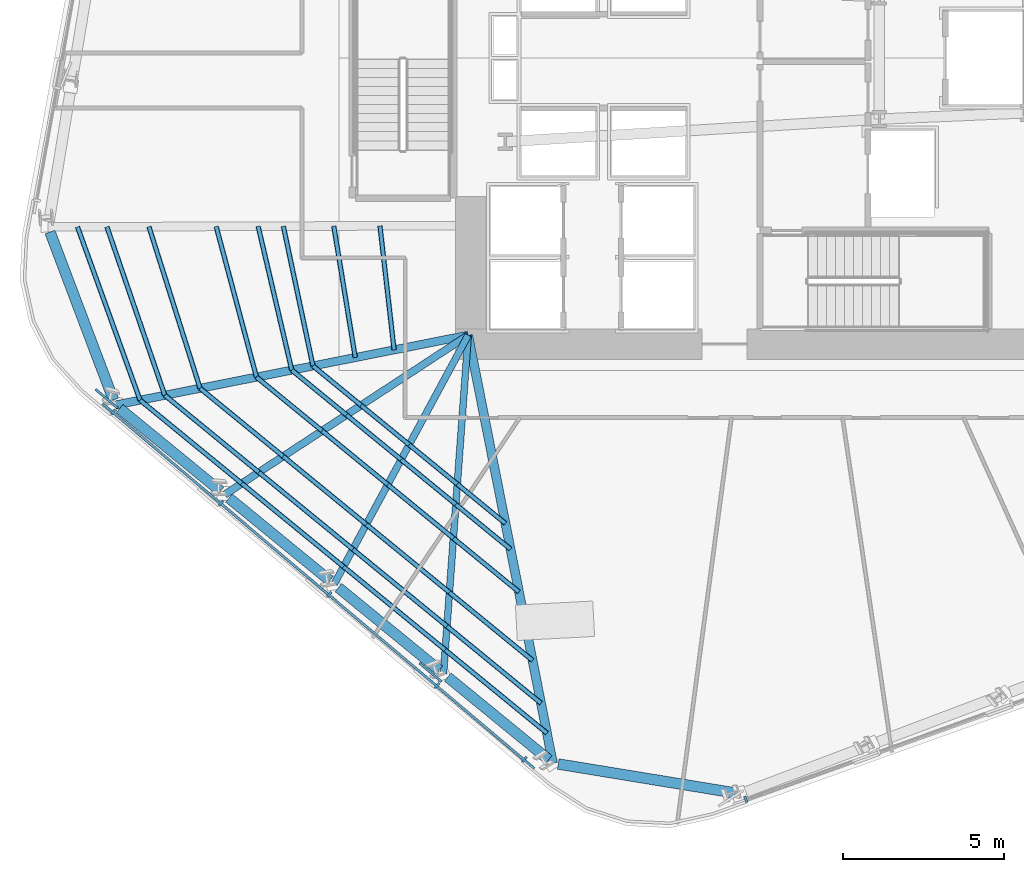
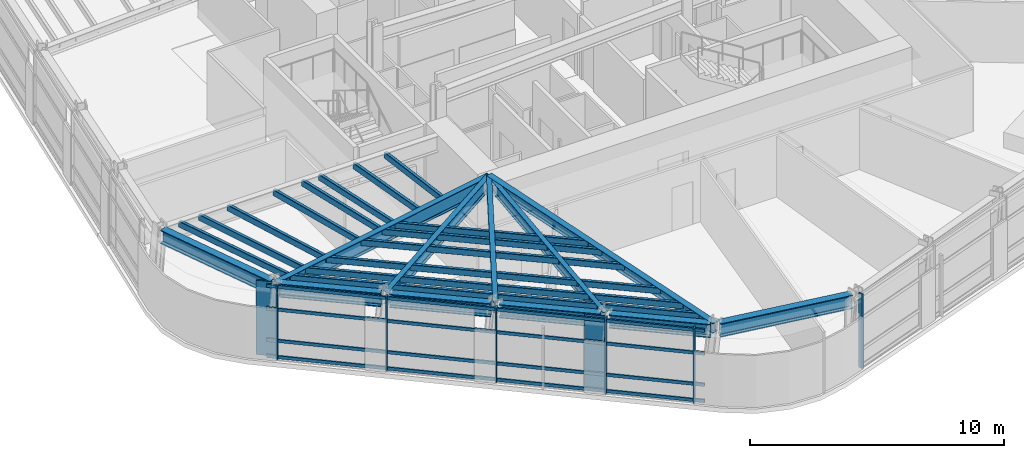
# One storey, part 2 of 18: 44 members, 11 beams, 2 elements without a shape of their own.
"""IFC4 building model written with IfcOpenShell, lengths in metres."""

import ifcopenshell
import ifcopenshell.guid

model = None  # the IFC model being written
_history = None  # IfcOwnerHistory: only IFC2X3 demands one
_inside = {}  # id of a spatial element -> (the spatial element, [elements in it])
_under = {}  # id of a project, library or spatial element -> (it, [spatial elements below it])
_declared = {}  # id of a project -> (the project, [libraries it declares])
_typed = {}  # id of a type object -> (the type object, [elements of that type])
_made_of = {}  # id of a material, layer set ... -> (it, [elements and type objects made of it])


def new_model(schema):
    """Start an empty IFC model of exactly this schema.

    Asked for "IFC4X3", IfcOpenShell would pick the latest addendum, in which some entities
    have other attributes; the version numbers below select the first issue.
    IFC2X3 requires an IfcOwnerHistory on every rooted entity: one is made here for all.
    """
    global model, _history
    if schema == "IFC4X3":
        model = ifcopenshell.file(schema_version=(4, 3, 0, 0))
    else:
        model = ifcopenshell.file(schema=schema)
    _inside.clear()
    _under.clear()
    _declared.clear()
    _typed.clear()
    _made_of.clear()
    _history = None
    if model.schema == "IFC2X3":
        org = make("IfcOrganization", Name="unknown")
        user = make(
            "IfcPersonAndOrganization",
            ThePerson=make("IfcPerson", FamilyName="unknown"),
            TheOrganization=org,
        )
        app = make(
            "IfcApplication",
            ApplicationDeveloper=org,
            Version="unknown",
            ApplicationFullName="unknown",
            ApplicationIdentifier="unknown",
        )
        _history = make(
            "IfcOwnerHistory",
            OwningUser=user,
            OwningApplication=app,
            ChangeAction="ADDED",
            CreationDate=0,
        )
    return model


def make(cls, **values):
    """One entity of the class cls with the attributes given. An attribute that is None is left unset."""
    return model.create_entity(
        cls, **{name: value for name, value in values.items() if value is not None}
    )


def rooted(cls, **values):
    """An entity with a GlobalId (a new one), such as an element, a storey or a relation."""
    return make(cls, GlobalId=ifcopenshell.guid.new(), OwnerHistory=_history, **values)


def si_unit(unit_type, name, prefix=None):
    """IfcSIUnit, for example si_unit("LENGTHUNIT", "METRE", prefix="MILLI")."""
    return make("IfcSIUnit", UnitType=unit_type, Prefix=prefix, Name=name)


def assignment(units):
    """IfcUnitAssignment: the units of a project."""
    return None if units is None else make("IfcUnitAssignment", Units=units)


def point(xyz):
    """IfcCartesianPoint."""
    return None if xyz is None else make("IfcCartesianPoint", Coordinates=xyz)


def direction(xyz):
    """IfcDirection."""
    return None if xyz is None else make("IfcDirection", DirectionRatios=xyz)


def frame(location, z_axis=None, x_axis=None):
    """IfcAxis2Placement3D, a coordinate frame: its origin and axes. An axis left out is left unset."""
    return make(
        "IfcAxis2Placement3D",
        Location=point(location),
        Axis=direction(z_axis),
        RefDirection=direction(x_axis),
    )


def frame_2d(location, x_axis=None):
    """IfcAxis2Placement2D, a coordinate frame in the plane: its origin and x axis."""
    return make(
        "IfcAxis2Placement2D", Location=point(location), RefDirection=direction(x_axis)
    )


def origin():
    """The frame at (0, 0, 0) with its axes left unset."""
    return frame((0.0, 0.0, 0.0))


def origin_2d():
    """The frame at (0, 0) in the plane with its x axis left unset."""
    return frame_2d((0.0, 0.0))


def place(relative_to, where):
    """IfcLocalPlacement: puts the frame where relative to a parent placement (None: the world)."""
    return make(
        "IfcLocalPlacement", PlacementRelTo=relative_to, RelativePlacement=where
    )


def context(
    kind, dimensions, precision=None, world=None, true_north=None, identifier=None
):
    """IfcGeometricRepresentationContext, for example the 3D "Model" context."""
    return make(
        "IfcGeometricRepresentationContext",
        ContextIdentifier=identifier,
        ContextType=kind,
        CoordinateSpaceDimension=dimensions,
        Precision=precision,
        WorldCoordinateSystem=world,
        TrueNorth=true_north,
    )


def subcontext(parent, identifier, kind, view, scale=None):
    """IfcGeometricRepresentationSubContext, for example "Body" below "Model"."""
    return make(
        "IfcGeometricRepresentationSubContext",
        ContextIdentifier=identifier,
        ContextType=kind,
        ParentContext=parent,
        TargetScale=scale,
        TargetView=view,
    )


def project(units=None, contexts=None):
    """IfcProject with its units and contexts."""
    return rooted(
        "IfcProject",
        Name="project",
        RepresentationContexts=contexts,
        UnitsInContext=assignment(units),
    )


def spatial(cls, under=None, at=None, **own):
    """A site, building, storey or space (cls), placed at a placement, below another one or the project."""
    s = rooted(cls, ObjectPlacement=at, **own)
    if under is not None:
        _under.setdefault(under.id(), (under, []))[1].append(s)
    return s


def profile(cls, at=None, kind="AREA", **sizes):
    """A parametric profile (cls). Its sizes go by their IFC names, for example OverallWidth=200.0."""
    return make(cls, ProfileType=kind, Position=at, **sizes)


def rectangle(**sizes):
    """IfcRectangleProfileDef."""
    return profile("IfcRectangleProfileDef", **sizes)


def hollow_rectangle(**sizes):
    """IfcRectangleHollowProfileDef."""
    return profile("IfcRectangleHollowProfileDef", **sizes)


def i_section(**sizes):
    """IfcIShapeProfileDef."""
    return profile("IfcIShapeProfileDef", **sizes)


def extrude(swept, where, along, depth):
    """IfcExtrudedAreaSolid: the profile swept, set in the frame where, extruded along a direction by depth."""
    return make(
        "IfcExtrudedAreaSolid",
        SweptArea=swept,
        Position=where,
        ExtrudedDirection=direction(along),
        Depth=depth,
    )


def shape(context_of_items, identifier, shape_type, items):
    """IfcShapeRepresentation: the items that make up one representation, for example the "Body"."""
    return make(
        "IfcShapeRepresentation",
        ContextOfItems=context_of_items,
        RepresentationIdentifier=identifier,
        RepresentationType=shape_type,
        Items=items,
    )


def material(Name=None, Category=None):
    """IfcMaterial."""
    return make("IfcMaterial", Name=Name, Category=Category)


def layer(
    of_material, thickness, ventilated=None, Name=None, Category=None, Priority=None
):
    """IfcMaterialLayer: one layer of a wall or slab, of a material (None: an air gap)."""
    return make(
        "IfcMaterialLayer",
        Material=of_material,
        LayerThickness=thickness,
        IsVentilated=ventilated,
        Name=Name,
        Category=Category,
        Priority=Priority,
    )


def layer_set(layers, Name=None):
    """IfcMaterialLayerSet."""
    return make("IfcMaterialLayerSet", MaterialLayers=layers, LayerSetName=Name)


def material_profile(
    of_material, cross_section, Name=None, Category=None, Priority=None
):
    """IfcMaterialProfile: a cross section and its material."""
    return make(
        "IfcMaterialProfile",
        Name=Name,
        Material=of_material,
        Profile=cross_section,
        Priority=Priority,
        Category=Category,
    )


def profile_set(profiles, Name=None, composite=None):
    """IfcMaterialProfileSet."""
    return make(
        "IfcMaterialProfileSet",
        Name=Name,
        MaterialProfiles=profiles,
        CompositeProfile=composite,
    )


def made_of(thing, what):
    """Note that an element or type object is made of a material, layer set ...; save() writes the relation."""
    if what is not None:
        _made_of.setdefault(what.id(), (what, []))[1].append(thing)
    return thing


def type_object(cls, material=None, **own):
    """A type object (cls), such as IfcWallType, which elements share."""
    return made_of(rooted(cls, **own), material)


def element(
    cls,
    number,
    at=None,
    inside=None,
    cuts=None,
    type_object=None,
    material=None,
    context=None,
    identifier="Body",
    shape_type=None,
    held_by="IfcProductDefinitionShape",
    body=None,
    shapes=None,
    **own,
):
    """One element of the class cls, such as IfcWall. Its Tag is "e" and its number.

    at: its placement. inside: the storey or other place that contains it. cuts: it is an
    opening in that element (IfcRelVoidsElement). A single representation is given by context,
    identifier, shape_type and body (its items); several are given by shapes. held_by: the class
    of the entity that holds the representations. save() writes the other relations.
    """
    e = rooted(cls, Tag="e%d" % number, ObjectPlacement=at, **own)
    if body is not None:
        shapes = [shape(context, identifier, shape_type, body)]
    if shapes is not None:
        e.Representation = make(held_by, Representations=shapes)
    if inside is not None:
        _inside.setdefault(inside.id(), (inside, []))[1].append(e)
    if cuts is not None:
        rooted(
            "IfcRelVoidsElement", RelatingBuildingElement=cuts, RelatedOpeningElement=e
        )
    if type_object is not None:
        _typed.setdefault(type_object.id(), (type_object, []))[1].append(e)
    return made_of(e, material)


def aggregate(whole, parts):
    """IfcRelAggregates: a whole, such as a stair, and the parts it consists of."""
    return rooted("IfcRelAggregates", RelatingObject=whole, RelatedObjects=parts)


def save(model, path):
    """Write the relations noted so far, then the file.

    IfcRelAggregates (storeys below a building ...), IfcRelContainedInSpatialStructure (elements
    in a storey), IfcRelDefinesByType, IfcRelAssociatesMaterial and IfcRelDeclares: one each for
    every whole, place, type object, material and project.
    """
    for whole, parts in _under.values():
        aggregate(whole, parts)
    for where, things in _inside.values():
        rooted(
            "IfcRelContainedInSpatialStructure",
            RelatedElements=things,
            RelatingStructure=where,
        )
    for kind, things in _typed.values():
        rooted("IfcRelDefinesByType", RelatedObjects=things, RelatingType=kind)
    for what, things in _made_of.values():
        rooted("IfcRelAssociatesMaterial", RelatedObjects=things, RelatingMaterial=what)
    for by, libraries in _declared.values():
        rooted("IfcRelDeclares", RelatingContext=by, RelatedDefinitions=libraries)
    model.write(path)


model = new_model("IFC4")

# Units and contexts
model_context = context("Model", 3, precision=1e-05, world=origin(), true_north=direction((0.0, 1.0)))
body_context = subcontext(model_context, "Body", "Model", "MODEL_VIEW")
ifc_project = project(units=[si_unit("LENGTHUNIT", "METRE"), si_unit("AREAUNIT", "SQUARE_METRE"), si_unit("VOLUMEUNIT", "CUBIC_METRE"), si_unit("PLANEANGLEUNIT", "RADIAN"), si_unit("MASSUNIT", "GRAM", prefix="KILO")], contexts=[model_context])

# Site, building, storey
site_placement = place(None, origin())
site = spatial("IfcSite", under=ifc_project, at=site_placement, CompositionType="ELEMENT")
building_placement = place(site_placement, origin())
building = spatial("IfcBuilding", under=site, at=building_placement, Name="Valkerne Bourse Tower", CompositionType="ELEMENT")
storey_placement = place(building_placement, frame((0.0, 0.0, 108.60009765625)))
storey = spatial("IfcBuildingStorey", under=building, at=storey_placement, Name="L27", CompositionType="ELEMENT", Elevation=108.60009765625)

# Beams
ifc_material_1 = material(Name="Steel ASTM A992", Category="steel")
ifc_material_profile_1 = material_profile(ifc_material_1, i_section(OverallWidth=0.279296875, OverallDepth=0.46240234375, WebThickness=0.0107421875, FlangeThickness=0.017333984375, FilletRadius=0.017822265625, at=origin_2d()), Name="W18X76")
ifc_profile_set_1 = profile_set([ifc_material_profile_1], Name="Steel ASTM A992")
beam_type_1 = type_object("IfcBeamType", Name="BM-W18X76", PredefinedType="BEAM", material=ifc_profile_set_1)
beam_1_placement = place(storey_placement, frame((40.226806640625, 5.12939453125, 3.348876953125), z_axis=(-0.194168744153, 0.980968143618, 0.0), x_axis=(-0.980968143618, -0.194168744153, 0.0)))
element("IfcBeam", 1, at=beam_1_placement, inside=storey, type_object=beam_type_1, Name="L27 Radial Composite Floor Beam 19", PredefinedType="BEAM", context=body_context, shape_type="SweptSolid", body=[
    extrude(i_section(OverallWidth=0.279296875, OverallDepth=0.46240234375, WebThickness=0.0107421875, FlangeThickness=0.017333984375, FilletRadius=0.017822265625, at=origin_2d()), origin(), (0.0, 0.0, 1.0), 13.528076171875),
])
ifc_material_profile_2 = material_profile(ifc_material_1, i_section(OverallWidth=0.209228515625, OverallDepth=0.533447265625, WebThickness=0.01025390625, FlangeThickness=0.015625, FilletRadius=0.017822265625, at=origin_2d()), Name="W21X62")
ifc_profile_set_2 = profile_set([ifc_material_profile_2], Name="Steel ASTM A992")
beam_type_2 = type_object("IfcBeamType", Name="BM-W21X62", PredefinedType="JOIST", material=ifc_profile_set_2)
beam_2_placement = place(storey_placement, frame((36.835205078125, 7.905517578125, 3.313232421875), z_axis=(0.072693060583, 0.997354359765, 0.0), x_axis=(-0.997354359765, 0.072693060583, 0.0)))
element("IfcBeam", 2, at=beam_2_placement, inside=storey, type_object=beam_type_2, Name="L27 Radial Composite Floor Beam 18", PredefinedType="JOIST", context=body_context, shape_type="SweptSolid", body=[
    extrude(i_section(OverallWidth=0.209228515625, OverallDepth=0.533447265625, WebThickness=0.01025390625, FlangeThickness=0.015625, FilletRadius=0.017822265625, at=origin_2d()), origin(), (0.0, 0.0, 1.0), 10.522216796875),
])
ifc_material_profile_3 = material_profile(ifc_material_1, i_section(OverallWidth=0.2138671875, OverallDepth=0.548583984375, WebThickness=0.0146484375, FlangeThickness=0.023681640625, FilletRadius=0.017822265625, at=origin_2d()), Name="W21X93")
ifc_profile_set_3 = profile_set([ifc_material_profile_3], Name="Steel ASTM A992")
beam_type_3 = type_object("IfcBeamType", Name="BM-W21X93", PredefinedType="BEAM", material=ifc_profile_set_3)
beam_3_placement = place(storey_placement, frame((33.443359375, 10.681396484375, 3.3056640625), z_axis=(0.4741546256, 0.880441588649, 0.0), x_axis=(-0.880441588649, 0.4741546256, 0.0)))
element("IfcBeam", 3, at=beam_3_placement, inside=storey, type_object=beam_type_3, Name="L27 Radial Composite Floor Beam 17", PredefinedType="BEAM", context=body_context, shape_type="SweptSolid", body=[
    extrude(i_section(OverallWidth=0.2138671875, OverallDepth=0.548583984375, WebThickness=0.0146484375, FlangeThickness=0.023681640625, FilletRadius=0.017822265625, at=origin_2d()), origin(), (0.0, 0.0, 1.0), 8.7666015625),
])
ifc_material_profile_4 = material_profile(ifc_material_1, i_section(OverallWidth=0.330078125, OverallDepth=0.647705078125, WebThickness=0.0205078125, FlangeThickness=0.037109375, FilletRadius=0.020263671875, at=origin_2d()), Name="W24X192")
ifc_profile_set_4 = profile_set([ifc_material_profile_4], Name="Steel ASTM A992")
beam_type_4 = type_object("IfcBeamType", Name="BM-W24X192", PredefinedType="SPANDREL", material=ifc_profile_set_4)
beam_4_placement = place(storey_placement, frame((24.6328125, 21.59814453125, 3.256103515625), z_axis=(0.353478206483, -0.935442760163, 0.0), x_axis=(0.935442760163, 0.353478206483, 0.0)))
element("IfcBeam", 4, at=beam_4_placement, inside=storey, type_object=beam_type_4, Name="L27 Hexagonal Spandrel Ring Beam 14", PredefinedType="SPANDREL", context=body_context, shape_type="SweptSolid", body=[
    extrude(i_section(OverallWidth=0.330078125, OverallDepth=0.647705078125, WebThickness=0.0205078125, FlangeThickness=0.037109375, FilletRadius=0.020263671875, at=origin_2d()), origin(), (0.0, 0.0, 1.0), 5.564697265625),
])
beam_5_placement = place(storey_placement, frame((26.79150390625, 16.1259765625, 3.256103515625), z_axis=(0.773838906379, -0.633382465003, 0.0), x_axis=(0.633382465003, 0.773838906379, 0.0)))
element("IfcBeam", 5, at=beam_5_placement, inside=storey, type_object=beam_type_4, Name="L27 Hexagonal Spandrel Ring Beam 15", PredefinedType="SPANDREL", context=body_context, shape_type="SweptSolid", body=[
    extrude(i_section(OverallWidth=0.330078125, OverallDepth=0.647705078125, WebThickness=0.0205078125, FlangeThickness=0.037109375, FilletRadius=0.020263671875, at=origin_2d()), origin(), (0.0, 0.0, 1.0), 4.04296875),
])
beam_6_placement = place(storey_placement, frame((30.183349609375, 13.349853515625, 3.256103515625), z_axis=(0.773844278853, -0.633375901094, 0.0), x_axis=(0.633375901094, 0.773844278853, 0.0)))
element("IfcBeam", 6, at=beam_6_placement, inside=storey, type_object=beam_type_4, Name="L27 Hexagonal Spandrel Ring Beam 16", PredefinedType="SPANDREL", context=body_context, shape_type="SweptSolid", body=[
    extrude(i_section(OverallWidth=0.330078125, OverallDepth=0.647705078125, WebThickness=0.0205078125, FlangeThickness=0.037109375, FilletRadius=0.020263671875, at=origin_2d()), origin(), (0.0, 0.0, 1.0), 4.042724609375),
])
beam_7_placement = place(storey_placement, frame((33.574951171875, 10.57373046875, 3.256103515625), z_axis=(0.773868503725, -0.633346302541, 0.0), x_axis=(0.633346302541, 0.773868503725, 0.0)))
element("IfcBeam", 7, at=beam_7_placement, inside=storey, type_object=beam_type_4, Name="L27 Hexagonal Spandrel Ring Beam 17", PredefinedType="SPANDREL", context=body_context, shape_type="SweptSolid", body=[
    extrude(i_section(OverallWidth=0.330078125, OverallDepth=0.647705078125, WebThickness=0.0205078125, FlangeThickness=0.037109375, FilletRadius=0.020263671875, at=origin_2d()), origin(), (0.0, 0.0, 1.0), 4.04296875),
])
beam_8_placement = place(storey_placement, frame((36.966796875, 7.797607421875, 3.256103515625), z_axis=(0.773844278853, -0.633375901094, 0.0), x_axis=(0.633375901094, 0.773844278853, 0.0)))
element("IfcBeam", 8, at=beam_8_placement, inside=storey, type_object=beam_type_4, Name="L27 Hexagonal Spandrel Ring Beam 18", PredefinedType="SPANDREL", context=body_context, shape_type="SweptSolid", body=[
    extrude(i_section(OverallWidth=0.330078125, OverallDepth=0.647705078125, WebThickness=0.0205078125, FlangeThickness=0.037109375, FilletRadius=0.020263671875, at=origin_2d()), origin(), (0.0, 0.0, 1.0), 4.042724609375),
])
beam_9_placement = place(storey_placement, frame((40.394775390625, 5.101806640625, 3.256103515625), z_axis=(0.986857159576, -0.161595007946, 0.0), x_axis=(0.161595007946, 0.986857159576, 0.0)))
element("IfcBeam", 9, at=beam_9_placement, inside=storey, type_object=beam_type_4, Name="L27 Hexagonal Spandrel Ring Beam 19", PredefinedType="SPANDREL", context=body_context, shape_type="SweptSolid", body=[
    extrude(i_section(OverallWidth=0.330078125, OverallDepth=0.647705078125, WebThickness=0.0205078125, FlangeThickness=0.037109375, FilletRadius=0.020263671875, at=origin_2d()), origin(), (0.0, 0.0, 1.0), 5.564453125),
])
ifc_material_profile_5 = material_profile(ifc_material_1, i_section(OverallWidth=0.228271484375, OverallDepth=0.607177734375, WebThickness=0.01123046875, FlangeThickness=0.017333984375, FilletRadius=0.017822265625, at=origin_2d()), Name="W24X76")
ifc_profile_set_5 = profile_set([ifc_material_profile_5], Name="Steel ASTM A992")
beam_type_5 = type_object("IfcBeamType", Name="BM-W24X76", PredefinedType="JOIST", material=ifc_profile_set_5)
beam_10_placement = place(storey_placement, frame((30.0517578125, 13.45751953125, 3.2763671875), z_axis=(0.836617642847, 0.547787294191, 0.0), x_axis=(-0.547787294191, 0.836617642847, 0.0)))
element("IfcBeam", 10, at=beam_10_placement, inside=storey, type_object=beam_type_5, Name="L27 Radial Composite Floor Beam 16", PredefinedType="JOIST", context=body_context, shape_type="SweptSolid", body=[
    extrude(i_section(OverallWidth=0.228271484375, OverallDepth=0.607177734375, WebThickness=0.01123046875, FlangeThickness=0.017333984375, FilletRadius=0.017822265625, at=origin_2d()), origin(), (0.0, 0.0, 1.0), 9.0224609375),
])
ifc_material_profile_6 = material_profile(ifc_material_1, i_section(OverallWidth=0.255859375, OverallDepth=0.693359375, WebThickness=0.014404296875, FlangeThickness=0.023681640625, FilletRadius=0.02294921875, at=origin_2d()), Name="W27X114")
ifc_profile_set_6 = profile_set([ifc_material_profile_6], Name="Steel ASTM A992")
beam_type_6 = type_object("IfcBeamType", Name="BM-W27X114", PredefinedType="BEAM", material=ifc_profile_set_6)
beam_11_placement = place(storey_placement, frame((26.659912109375, 16.233642578125, 3.233154296875), z_axis=(0.980954391769, 0.194238207542, 0.0), x_axis=(-0.194238207542, 0.980954391769, 0.0)))
element("IfcBeam", 11, at=beam_11_placement, inside=storey, type_object=beam_type_6, Name="L27 Radial Composite Floor Beam 15", PredefinedType="BEAM", context=body_context, shape_type="SweptSolid", body=[
    extrude(i_section(OverallWidth=0.255859375, OverallDepth=0.693359375, WebThickness=0.014404296875, FlangeThickness=0.023681640625, FilletRadius=0.02294921875, at=origin_2d()), origin(), (0.0, 0.0, 1.0), 11.152587890625),
])

# Curtain wall, members
ifc_material_2 = material(Name="Aluminium AA 6063-T6", Category="aluminium")
ifc_layer = layer(ifc_material_2, 0.22998046875)
ifc_layer_set = layer_set([ifc_layer], Name="Aluminium AA 6063-T6")
curtain_wall_type = type_object("IfcCurtainWallType", Name="CW-02", PredefinedType="NOTDEFINED", material=ifc_layer_set)
curtain_wall_1_placement = place(storey_placement, origin())
curtain_wall_1 = element("IfcCurtainWall", 12, at=curtain_wall_1_placement, inside=storey, type_object=curtain_wall_type, Name="L27 Hexagonal Stick Curtain Wall Face 4", PredefinedType="NOTDEFINED")
ifc_material_profile_7 = material_profile(ifc_material_2, rectangle(XDim=0.074951171875, YDim=0.199951171875, at=origin_2d()), Name="CWM-75X200")
ifc_profile_set_7 = profile_set([ifc_material_profile_7], Name="Aluminium AA 6063-T6")
member_type_1 = type_object("IfcMemberType", Name="CW-MUL-220X75", PredefinedType="MULLION", material=ifc_profile_set_7)
member_1_placement = place(storey_placement, frame((26.594482421875, 16.0205078125, 0.0), z_axis=(0.0, 0.0, 1.0), x_axis=(0.763797192334, -0.645456310669, 0.0)))
member_1 = element("IfcMember", 13, at=member_1_placement, type_object=member_type_1, Name="CW-L27-F4 Jamb Mullion 00A", PredefinedType="MULLION", context=body_context, shape_type="SweptSolid", body=[
    extrude(rectangle(XDim=0.074951171875, YDim=0.199951171875, at=origin_2d()), origin(), (0.0, 0.0, 1.0), 3.579833984375),
])
member_2_placement = place(storey_placement, frame((29.9423828125, 13.19140625, 0.0), z_axis=(0.0, 0.0, 1.0), x_axis=(0.763798935079, -0.645454248396, 0.0)))
member_2 = element("IfcMember", 14, at=member_2_placement, type_object=member_type_1, Name="CW-L27-F4 Jamb Mullion 01A", PredefinedType="MULLION", context=body_context, shape_type="SweptSolid", body=[
    extrude(rectangle(XDim=0.074951171875, YDim=0.199951171875, at=origin_2d()), origin(), (0.0, 0.0, 1.0), 3.579833984375),
])
member_3_placement = place(storey_placement, frame((33.2900390625, 10.362548828125, 0.0), z_axis=(0.0, 0.0, 1.0), x_axis=(0.763787687089, -0.645467558481, 0.0)))
member_3 = element("IfcMember", 15, at=member_3_placement, type_object=member_type_1, Name="CW-L27-F4 Jamb Mullion 02A", PredefinedType="MULLION", context=body_context, shape_type="SweptSolid", body=[
    extrude(rectangle(XDim=0.074951171875, YDim=0.199951171875, at=origin_2d()), origin(), (0.0, 0.0, 1.0), 3.579833984375),
])
member_4_placement = place(storey_placement, frame((36.6376953125, 7.533447265625, 0.0), z_axis=(0.0, 0.0, 1.0), x_axis=(0.763798935079, -0.645454248396, 0.0)))
member_4 = element("IfcMember", 16, at=member_4_placement, type_object=member_type_1, Name="CW-L27-F4 Jamb Mullion 03A", PredefinedType="MULLION", context=body_context, shape_type="SweptSolid", body=[
    extrude(rectangle(XDim=0.074951171875, YDim=0.199951171875, at=origin_2d()), origin(), (0.0, 0.0, 1.0), 3.579833984375),
])
member_5_placement = place(storey_placement, frame((39.343994140625, 5.24658203125, 0.0), z_axis=(0.0, 0.0, 1.0), x_axis=(0.763798935079, -0.645454248396, 0.0)))
member_5 = element("IfcMember", 17, at=member_5_placement, type_object=member_type_1, Name="CW-L27-F4 Jamb Mullion 03B", PredefinedType="MULLION", context=body_context, shape_type="SweptSolid", body=[
    extrude(rectangle(XDim=0.074951171875, YDim=0.199951171875, at=origin_2d()), origin(), (0.0, 0.0, 1.0), 3.579833984375),
])

# Curtain wall, member
curtain_wall_2_placement = place(storey_placement, origin())
curtain_wall_2 = element("IfcCurtainWall", 18, at=curtain_wall_2_placement, inside=storey, type_object=curtain_wall_type, Name="L27 Hexagonal Stick Curtain Wall Face 5", PredefinedType="NOTDEFINED")
member_6_placement = place(storey_placement, frame((46.205810546875, 4.011962890625, 0.0), z_axis=(0.0, 0.0, 1.0), x_axis=(0.94088043135, 0.338738857977, 0.0)))
member_6 = element("IfcMember", 19, at=member_6_placement, type_object=member_type_1, Name="CW-L27-F5 Jamb Mullion 00A", PredefinedType="MULLION", context=body_context, shape_type="SweptSolid", body=[
    extrude(rectangle(XDim=0.074951171875, YDim=0.199951171875, at=origin_2d()), origin(), (0.0, 0.0, 1.0), 3.579833984375),
])
aggregate(curtain_wall_2, [member_6])

# Member
ifc_material_profile_8 = material_profile(ifc_material_2, rectangle(XDim=0.074951171875, YDim=0.14990234375, at=origin_2d()), Name="CWT-75X150")
ifc_profile_set_8 = profile_set([ifc_material_profile_8], Name="Aluminium AA 6063-T6")
member_type_2 = type_object("IfcMemberType", Name="CW-TRN-180X65", PredefinedType="USERDEFINED", material=ifc_profile_set_8)
member_7_placement = place(storey_placement, frame((26.260986328125, 16.2763671875, 0.119873046875), z_axis=(0.763796019563, -0.645457698459, 0.0), x_axis=(0.645457698459, 0.763796019563, 0.0)))
member_7 = element("IfcMember", 20, at=member_7_placement, type_object=member_type_2, Name="CW-L27-F4 Continuous Face Transom 1", ObjectType="TRANSOM", PredefinedType="USERDEFINED", context=body_context, shape_type="SweptSolid", body=[
    extrude(rectangle(XDim=0.074951171875, YDim=0.14990234375, at=origin_2d()), origin(), (0.0, 0.0, 1.0), 17.531982421875),
])

member_8_placement = place(storey_placement, frame((26.260986328125, 16.2763671875, 0.89990234375), z_axis=(0.763796019563, -0.645457698459, 0.0), x_axis=(0.645457698459, 0.763796019563, 0.0)))
member_8 = element("IfcMember", 21, at=member_8_placement, type_object=member_type_2, Name="CW-L27-F4 Continuous Face Transom 2", ObjectType="TRANSOM", PredefinedType="USERDEFINED", context=body_context, shape_type="SweptSolid", body=[
    extrude(rectangle(XDim=0.074951171875, YDim=0.14990234375, at=origin_2d()), origin(), (0.0, 0.0, 1.0), 17.531982421875),
])

member_9_placement = place(storey_placement, frame((26.260986328125, 16.2763671875, 2.39990234375), z_axis=(0.763796019563, -0.645457698459, 0.0), x_axis=(0.645457698459, 0.763796019563, 0.0)))
member_9 = element("IfcMember", 22, at=member_9_placement, type_object=member_type_2, Name="CW-L27-F4 Continuous Face Transom 3", ObjectType="TRANSOM", PredefinedType="USERDEFINED", context=body_context, shape_type="SweptSolid", body=[
    extrude(rectangle(XDim=0.074951171875, YDim=0.14990234375, at=origin_2d()), origin(), (0.0, 0.0, 1.0), 17.531982421875),
])

member_10_placement = place(storey_placement, frame((26.260986328125, 16.2763671875, 3.5), z_axis=(0.763796019563, -0.645457698459, 0.0), x_axis=(0.645457698459, 0.763796019563, 0.0)))
member_10 = element("IfcMember", 23, at=member_10_placement, type_object=member_type_2, Name="CW-L27-F4 Continuous Face Transom 4", ObjectType="TRANSOM", PredefinedType="USERDEFINED", context=body_context, shape_type="SweptSolid", body=[
    extrude(rectangle(XDim=0.074951171875, YDim=0.14990234375, at=origin_2d()), origin(), (0.0, 0.0, 1.0), 17.531982421875),
])

aggregate(curtain_wall_1, [member_7, member_8, member_9, member_10, member_1, member_2, member_3, member_4, member_5])

# Members
ifc_material_3 = material(Name="Bronze Anodised Aluminium AA 6063-T6", Category="aluminium")
ifc_material_profile_9 = material_profile(ifc_material_3, rectangle(XDim=0.070068359375, YDim=0.89990234375, at=origin_2d()), Name="FIN-70X900")
ifc_profile_set_9 = profile_set([ifc_material_profile_9], Name="Bronze Anodised Aluminium AA 6063-T6")
member_type_3 = type_object("IfcMemberType", Name="FIN-SOLAR-900", PredefinedType="USERDEFINED", material=ifc_profile_set_9)
for number, where, z_axis, x_axis, name in (
    (24, (26.389892578125, 16.42919921875, 0.00390625), (0.0, 0.0, 1.0), (-0.644478253406, -0.764622639533, 0.0), "L27 Bronze Anodised Solar Fin F4-00"),
    (25, (36.43310546875, 7.94189453125, 0.00390625), (0.0, 0.0, 1.0), (-0.644475684455, -0.76462480482, 0.0), "L27 Bronze Anodised Solar Fin F4-03"),
):
    element("IfcMember", number, at=place(storey_placement, frame(where, z_axis=z_axis, x_axis=x_axis)), inside=storey, type_object=member_type_3, Name=name, ObjectType="SOLAR_FIN", PredefinedType="USERDEFINED", context=body_context, shape_type="SweptSolid", body=[
        extrude(rectangle(XDim=0.070068359375, YDim=0.89990234375, at=origin_2d()), origin(), (0.0, 0.0, 1.0), 3.572021484375),
    ])
ifc_material_4 = material(Name="Steel ASTM A500 Grade C", Category="steel")
ifc_material_profile_10 = material_profile(ifc_material_4, hollow_rectangle(XDim=0.14990234375, YDim=0.300048828125, WallThickness=0.012451171875, OuterFilletRadius=0.02490234375, at=origin_2d()), Name="HSS300X150X12.5")
ifc_profile_set_10 = profile_set([ifc_material_profile_10], Name="Steel ASTM A500 Grade C")
member_type_4 = type_object("IfcMemberType", Name="MBR-HSS300X150X12.5", PredefinedType="PURLIN", material=ifc_profile_set_10)
member_11_placement = place(storey_placement, frame((33.431396484375, 21.786376953125, 3.419921875), z_axis=(0.161525170618, -0.9868685927, 0.0), x_axis=(0.9868685927, 0.161525170618, 0.0)))
element("IfcMember", 26, at=member_11_placement, inside=storey, type_object=member_type_4, Name="L27 Secondary Composite Floor Purlin I-14", PredefinedType="PURLIN", context=body_context, shape_type="SweptSolid", body=[
    extrude(hollow_rectangle(XDim=0.14990234375, YDim=0.300048828125, WallThickness=0.012451171875, OuterFilletRadius=0.02490234375, at=origin_2d()), origin(), (0.0, 0.0, 1.0), 4.1337890625),
])
member_12_placement = place(storey_placement, frame((31.867919921875, 21.781005859375, 3.419921875), z_axis=(0.207304461039, -0.978276474435, 0.0), x_axis=(0.978276474435, 0.207304461039, 0.0)))
element("IfcMember", 27, at=member_12_placement, inside=storey, type_object=member_type_4, Name="L27 Secondary Composite Floor Purlin K-14", PredefinedType="PURLIN", context=body_context, shape_type="SweptSolid", body=[
    extrude(hollow_rectangle(XDim=0.14990234375, YDim=0.300048828125, WallThickness=0.012451171875, OuterFilletRadius=0.02490234375, at=origin_2d()), origin(), (0.0, 0.0, 1.0), 4.430419921875),
])
for number, where, z_axis, x_axis, name in (
    (28, (32.786376953125, 17.44677734375, 3.419921875), (0.773867046358, -0.633348083254, 0.0), (0.633348083254, 0.773867046358, 0.0), "L27 Secondary Composite Floor Purlin K-15"),
    (29, (34.27880859375, 16.225341796875, 3.419921875), (0.773816258406, -0.633410134294, 0.0), (0.633410134294, 0.773816258406, 0.0), "L27 Secondary Composite Floor Purlin K-16"),
    (30, (35.77099609375, 15.00390625, 3.419921875), (0.773867046358, -0.633348083254, 0.0), (0.633348083254, 0.773867046358, 0.0), "L27 Secondary Composite Floor Purlin K-17"),
):
    element("IfcMember", number, at=place(storey_placement, frame(where, z_axis=z_axis, x_axis=x_axis)), inside=storey, type_object=member_type_4, Name=name, PredefinedType="PURLIN", context=body_context, shape_type="SweptSolid", body=[
        extrude(hollow_rectangle(XDim=0.14990234375, YDim=0.300048828125, WallThickness=0.012451171875, OuterFilletRadius=0.02490234375, at=origin_2d()), origin(), (0.0, 0.0, 1.0), 1.928466796875),
    ])
member_13_placement = place(storey_placement, frame((37.263427734375, 13.782470703125, 3.419921875), z_axis=(0.773805000622, -0.633423887308, 0.0), x_axis=(0.633423887308, 0.773805000622, 0.0)))
element("IfcMember", 31, at=member_13_placement, inside=storey, type_object=member_type_4, Name="L27 Secondary Composite Floor Purlin K-18", PredefinedType="PURLIN", context=body_context, shape_type="SweptSolid", body=[
    extrude(hollow_rectangle(XDim=0.14990234375, YDim=0.300048828125, WallThickness=0.012451171875, OuterFilletRadius=0.02490234375, at=origin_2d()), origin(), (0.0, 0.0, 1.0), 1.9287109375),
])
member_14_placement = place(storey_placement, frame((31.08642578125, 21.778564453125, 3.419921875), z_axis=(0.227726471223, -0.9737251431, 0.0), x_axis=(0.9737251431, 0.227726471223, 0.0)))
element("IfcMember", 32, at=member_14_placement, inside=storey, type_object=member_type_4, Name="L27 Secondary Composite Floor Purlin M-14", PredefinedType="PURLIN", context=body_context, shape_type="SweptSolid", body=[
    extrude(hollow_rectangle(XDim=0.14990234375, YDim=0.300048828125, WallThickness=0.012451171875, OuterFilletRadius=0.02490234375, at=origin_2d()), origin(), (0.0, 0.0, 1.0), 4.58203125),
])
member_15_placement = place(storey_placement, frame((32.1298828125, 17.31689453125, 3.419921875), z_axis=(0.773843136971, -0.633377296217, 0.0), x_axis=(0.633377296217, 0.773843136971, 0.0)))
element("IfcMember", 33, at=member_15_placement, inside=storey, type_object=member_type_4, Name="L27 Secondary Composite Floor Purlin M-15", PredefinedType="PURLIN", context=body_context, shape_type="SweptSolid", body=[
    extrude(hollow_rectangle(XDim=0.14990234375, YDim=0.300048828125, WallThickness=0.012451171875, OuterFilletRadius=0.02490234375, at=origin_2d()), origin(), (0.0, 0.0, 1.0), 2.191650390625),
])
for number, where, z_axis, x_axis, name in (
    (34, (33.825927734375, 15.9287109375, 3.419921875), (0.773853048777, -0.633365186049, 0.0), (0.633365186049, 0.773853048777, 0.0), "L27 Secondary Composite Floor Purlin M-16"),
    (35, (35.521728515625, 14.540771484375, 3.419921875), (0.773798444252, -0.633431896634, 0.0), (0.633431896634, 0.773798444252, 0.0), "L27 Secondary Composite Floor Purlin M-17"),
    (36, (37.217529296875, 13.152587890625, 3.419921875), (0.773853048777, -0.633365186049, 0.0), (0.633365186049, 0.773853048777, 0.0), "L27 Secondary Composite Floor Purlin M-18"),
):
    element("IfcMember", number, at=place(storey_placement, frame(where, z_axis=z_axis, x_axis=x_axis)), inside=storey, type_object=member_type_4, Name=name, PredefinedType="PURLIN", context=body_context, shape_type="SweptSolid", body=[
        extrude(hollow_rectangle(XDim=0.14990234375, YDim=0.300048828125, WallThickness=0.012451171875, OuterFilletRadius=0.02490234375, at=origin_2d()), origin(), (0.0, 0.0, 1.0), 2.19140625),
    ])
member_16_placement = place(storey_placement, frame((27.69921875, 21.767333984375, 3.419921875), z_axis=(0.301677908873, -0.953409900986, 0.0), x_axis=(0.953409900986, 0.301677908873, 0.0)))
element("IfcMember", 37, at=member_16_placement, inside=storey, type_object=member_type_4, Name="L27 Secondary Composite Floor Purlin O-14", PredefinedType="PURLIN", context=body_context, shape_type="SweptSolid", body=[
    extrude(hollow_rectangle(XDim=0.14990234375, YDim=0.300048828125, WallThickness=0.012451171875, OuterFilletRadius=0.02490234375, at=origin_2d()), origin(), (0.0, 0.0, 1.0), 5.2587890625),
])
for number, where, z_axis, x_axis, name in (
    (38, (29.28564453125, 16.753662109375, 3.419921875), (0.77382666169, -0.633397424732, 0.0), (0.633397424732, 0.77382666169, 0.0), "L27 Secondary Composite Floor Purlin O-15"),
    (39, (31.86328125, 14.643798828125, 3.419921875), (0.77382666169, -0.633397424732, 0.0), (0.633397424732, 0.77382666169, 0.0), "L27 Secondary Composite Floor Purlin O-16"),
):
    element("IfcMember", number, at=place(storey_placement, frame(where, z_axis=z_axis, x_axis=x_axis)), inside=storey, type_object=member_type_4, Name=name, PredefinedType="PURLIN", context=body_context, shape_type="SweptSolid", body=[
        extrude(hollow_rectangle(XDim=0.14990234375, YDim=0.300048828125, WallThickness=0.012451171875, OuterFilletRadius=0.02490234375, at=origin_2d()), origin(), (0.0, 0.0, 1.0), 3.3310546875),
    ])
member_17_placement = place(storey_placement, frame((34.44091796875, 12.533935546875, 3.419921875), z_axis=(0.773856063744, -0.633361502309, 0.0), x_axis=(0.633361502309, 0.773856063744, 0.0)))
element("IfcMember", 40, at=member_17_placement, inside=storey, type_object=member_type_4, Name="L27 Secondary Composite Floor Purlin O-17", PredefinedType="PURLIN", context=body_context, shape_type="SweptSolid", body=[
    extrude(hollow_rectangle(XDim=0.14990234375, YDim=0.300048828125, WallThickness=0.012451171875, OuterFilletRadius=0.02490234375, at=origin_2d()), origin(), (0.0, 0.0, 1.0), 3.331298828125),
])
member_18_placement = place(storey_placement, frame((37.018798828125, 10.424072265625, 3.419921875), z_axis=(0.77382666169, -0.633397424732, 0.0), x_axis=(0.633397424732, 0.77382666169, 0.0)))
element("IfcMember", 41, at=member_18_placement, inside=storey, type_object=member_type_4, Name="L27 Secondary Composite Floor Purlin O-18", PredefinedType="PURLIN", context=body_context, shape_type="SweptSolid", body=[
    extrude(hollow_rectangle(XDim=0.14990234375, YDim=0.300048828125, WallThickness=0.012451171875, OuterFilletRadius=0.02490234375, at=origin_2d()), origin(), (0.0, 0.0, 1.0), 3.3310546875),
])
member_19_placement = place(storey_placement, frame((29.78369140625, 21.7744140625, 3.419921875), z_axis=(0.258764665669, -0.965940395574, 0.0), x_axis=(0.965940395574, 0.258764665669, 0.0)))
element("IfcMember", 42, at=member_19_placement, inside=storey, type_object=member_type_4, Name="L27 Secondary Composite Floor Purlin Z-14", PredefinedType="PURLIN", context=body_context, shape_type="SweptSolid", body=[
    extrude(hollow_rectangle(XDim=0.14990234375, YDim=0.300048828125, WallThickness=0.012451171875, OuterFilletRadius=0.02490234375, at=origin_2d()), origin(), (0.0, 0.0, 1.0), 4.839111328125),
])
for number, where, z_axis, x_axis, name in (
    (43, (31.035888671875, 17.10009765625, 3.419921875), (0.773882841033, -0.633328783772, 0.0), (0.633328783772, 0.773882841033, 0.0), "L27 Secondary Composite Floor Purlin Z-15"),
    (44, (33.071044921875, 15.4345703125, 3.419921875), (0.773800095134, -0.633429879916, 0.0), (0.633429879916, 0.773800095134, 0.0), "L27 Secondary Composite Floor Purlin Z-16"),
    (45, (35.10595703125, 13.768798828125, 3.419921875), (0.773882841033, -0.633328783772, 0.0), (0.633328783772, 0.773882841033, 0.0), "L27 Secondary Composite Floor Purlin Z-17"),
    (46, (37.14111328125, 12.103271484375, 3.419921875), (0.773800095134, -0.633429879916, 0.0), (0.633429879916, 0.773800095134, 0.0), "L27 Secondary Composite Floor Purlin Z-18"),
):
    element("IfcMember", number, at=place(storey_placement, frame(where, z_axis=z_axis, x_axis=x_axis)), inside=storey, type_object=member_type_4, Name=name, PredefinedType="PURLIN", context=body_context, shape_type="SweptSolid", body=[
        extrude(hollow_rectangle(XDim=0.14990234375, YDim=0.300048828125, WallThickness=0.012451171875, OuterFilletRadius=0.02490234375, at=origin_2d()), origin(), (0.0, 0.0, 1.0), 2.6298828125),
    ])
member_20_placement = place(storey_placement, frame((34.8642578125, 21.791015625, 3.419921875), z_axis=(0.113213945662, -0.993570632873, 0.0), x_axis=(0.993570632873, 0.113213945662, 0.0)))
element("IfcMember", 47, at=member_20_placement, inside=storey, type_object=member_type_4, Name="L27 Secondary Composite Floor Purlin S-14", PredefinedType="PURLIN", context=body_context, shape_type="SweptSolid", body=[
    extrude(hollow_rectangle(XDim=0.14990234375, YDim=0.300048828125, WallThickness=0.012451171875, OuterFilletRadius=0.02490234375, at=origin_2d()), origin(), (0.0, 0.0, 1.0), 3.870849609375),
])
member_21_placement = place(storey_placement, frame((26.396484375, 21.76318359375, 3.419921875), z_axis=(0.324869848026, -0.945758733422, 0.0), x_axis=(0.945758733422, 0.324869848026, 0.0)))
element("IfcMember", 48, at=member_21_placement, inside=storey, type_object=member_type_4, Name="L27 Secondary Composite Floor Purlin T-14", PredefinedType="PURLIN", context=body_context, shape_type="SweptSolid", body=[
    extrude(hollow_rectangle(XDim=0.14990234375, YDim=0.300048828125, WallThickness=0.012451171875, OuterFilletRadius=0.02490234375, at=origin_2d()), origin(), (0.0, 0.0, 1.0), 5.52587890625),
])
member_22_placement = place(storey_placement, frame((28.191650390625, 16.537109375, 3.419921875), z_axis=(0.773792786006, -0.633438808667, 0.0), x_axis=(0.633438808667, 0.773792786006, 0.0)))
element("IfcMember", 49, at=member_22_placement, inside=storey, type_object=member_type_4, Name="L27 Secondary Composite Floor Purlin T-15", PredefinedType="PURLIN", context=body_context, shape_type="SweptSolid", body=[
    extrude(hollow_rectangle(XDim=0.14990234375, YDim=0.300048828125, WallThickness=0.012451171875, OuterFilletRadius=0.02490234375, at=origin_2d()), origin(), (0.0, 0.0, 1.0), 3.76953125),
])
member_23_placement = place(storey_placement, frame((31.1083984375, 14.1494140625, 3.419921875), z_axis=(0.773882262177, -0.633329491092, 0.0), x_axis=(0.633329491092, 0.773882262177, 0.0)))
element("IfcMember", 50, at=member_23_placement, inside=storey, type_object=member_type_4, Name="L27 Secondary Composite Floor Purlin T-16", PredefinedType="PURLIN", context=body_context, shape_type="SweptSolid", body=[
    extrude(hollow_rectangle(XDim=0.14990234375, YDim=0.300048828125, WallThickness=0.012451171875, OuterFilletRadius=0.02490234375, at=origin_2d()), origin(), (0.0, 0.0, 1.0), 3.769287109375),
])
member_24_placement = place(storey_placement, frame((34.025390625, 11.76220703125, 3.419921875), z_axis=(0.77381877219, -0.633407063275, 0.0), x_axis=(0.633407063275, 0.77381877219, 0.0)))
element("IfcMember", 51, at=member_24_placement, inside=storey, type_object=member_type_4, Name="L27 Secondary Composite Floor Purlin T-17", PredefinedType="PURLIN", context=body_context, shape_type="SweptSolid", body=[
    extrude(hollow_rectangle(XDim=0.14990234375, YDim=0.300048828125, WallThickness=0.012451171875, OuterFilletRadius=0.02490234375, at=origin_2d()), origin(), (0.0, 0.0, 1.0), 3.76953125),
])
member_25_placement = place(storey_placement, frame((36.9423828125, 9.37451171875, 3.419921875), z_axis=(0.773856280227, -0.633361237805, 0.0), x_axis=(0.633361237805, 0.773856280227, 0.0)))
element("IfcMember", 52, at=member_25_placement, inside=storey, type_object=member_type_4, Name="L27 Secondary Composite Floor Purlin T-18", PredefinedType="PURLIN", context=body_context, shape_type="SweptSolid", body=[
    extrude(hollow_rectangle(XDim=0.14990234375, YDim=0.300048828125, WallThickness=0.012451171875, OuterFilletRadius=0.02490234375, at=origin_2d()), origin(), (0.0, 0.0, 1.0), 3.76904296875),
])
member_26_placement = place(storey_placement, frame((25.484619140625, 21.760009765625, 3.419921875), z_axis=(0.33968750682, -0.940538355257, 0.0), x_axis=(0.940538355257, 0.33968750682, 0.0)))
element("IfcMember", 53, at=member_26_placement, inside=storey, type_object=member_type_4, Name="L27 Secondary Composite Floor Purlin U-14", PredefinedType="PURLIN", context=body_context, shape_type="SweptSolid", body=[
    extrude(hollow_rectangle(XDim=0.14990234375, YDim=0.300048828125, WallThickness=0.012451171875, OuterFilletRadius=0.02490234375, at=origin_2d()), origin(), (0.0, 0.0, 1.0), 5.714599609375),
])
member_27_placement = place(storey_placement, frame((27.42578125, 16.38525390625, 3.419921875), z_axis=(0.773866556513, -0.633348681778, 0.0), x_axis=(0.633348681778, 0.773866556513, 0.0)))
element("IfcMember", 54, at=member_27_placement, inside=storey, type_object=member_type_4, Name="L27 Secondary Composite Floor Purlin U-15", PredefinedType="PURLIN", context=body_context, shape_type="SweptSolid", body=[
    extrude(hollow_rectangle(XDim=0.14990234375, YDim=0.300048828125, WallThickness=0.012451171875, OuterFilletRadius=0.02490234375, at=origin_2d()), origin(), (0.0, 0.0, 1.0), 4.075927734375),
])
member_28_placement = place(storey_placement, frame((30.580078125, 13.8037109375, 3.419921875), z_axis=(0.773807843529, -0.633420414332, 0.0), x_axis=(0.633420414332, 0.773807843529, 0.0)))
element("IfcMember", 55, at=member_28_placement, inside=storey, type_object=member_type_4, Name="L27 Secondary Composite Floor Purlin U-16", PredefinedType="PURLIN", context=body_context, shape_type="SweptSolid", body=[
    extrude(hollow_rectangle(XDim=0.14990234375, YDim=0.300048828125, WallThickness=0.012451171875, OuterFilletRadius=0.02490234375, at=origin_2d()), origin(), (0.0, 0.0, 1.0), 4.076416015625),
])
for number, where, z_axis, x_axis, name in (
    (56, (33.734375, 11.2216796875, 3.419921875), (0.773837199739, -0.633384550096, 0.0), (0.633384550096, 0.773837199739, 0.0), "L27 Secondary Composite Floor Purlin U-17"),
    (57, (36.888671875, 8.639892578125, 3.419921875), (0.773837199739, -0.633384550096, 0.0), (0.633384550096, 0.773837199739, 0.0), "L27 Secondary Composite Floor Purlin U-18"),
):
    element("IfcMember", number, at=place(storey_placement, frame(where, z_axis=z_axis, x_axis=x_axis)), inside=storey, type_object=member_type_4, Name=name, PredefinedType="PURLIN", context=body_context, shape_type="SweptSolid", body=[
        extrude(hollow_rectangle(XDim=0.14990234375, YDim=0.300048828125, WallThickness=0.012451171875, OuterFilletRadius=0.02490234375, at=origin_2d()), origin(), (0.0, 0.0, 1.0), 4.076171875),
    ])

save(model, "model.ifc")
